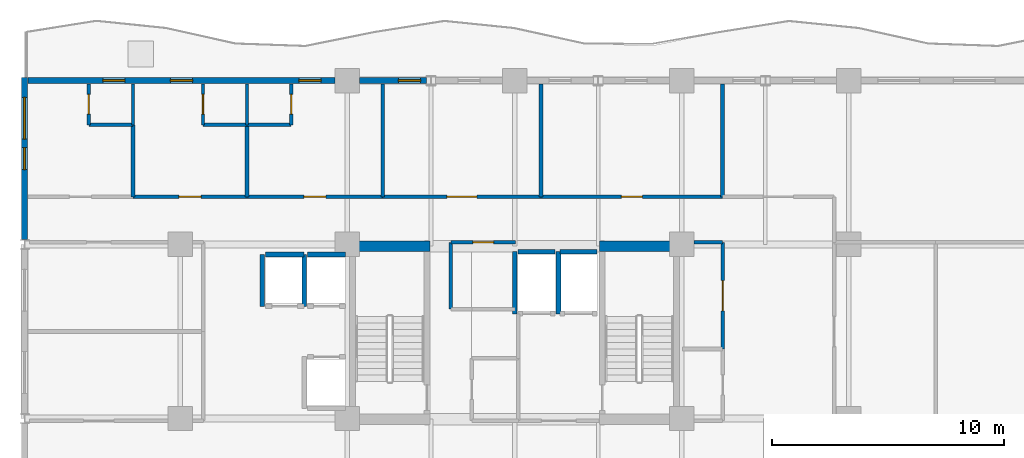
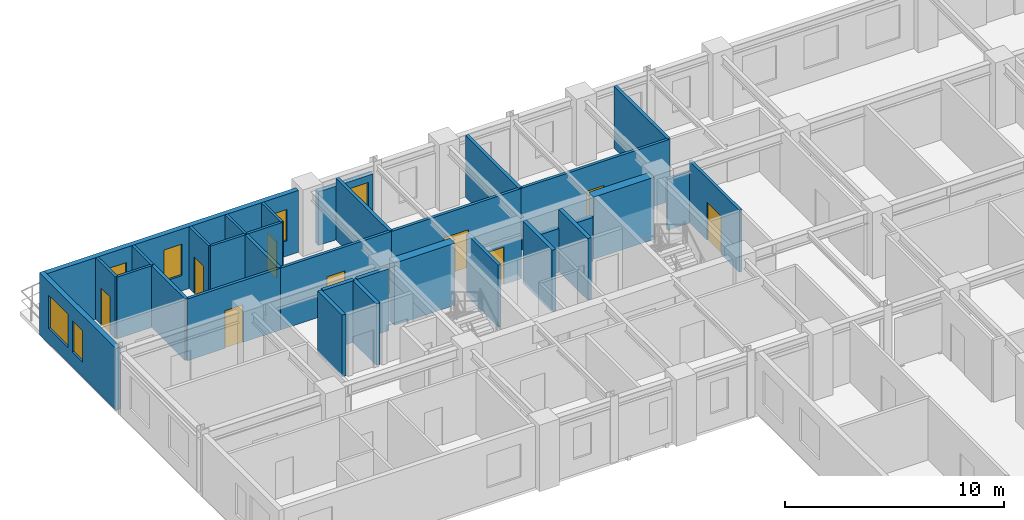
# One storey, part 8 of 13: 34 walls, 9 doors, 6 windows, 15 openings.
"""IFC4 building model written with IfcOpenShell, lengths in metres."""

from ifc_helpers import new_model, si_unit, direction, frame, frame_2d, origin, place, context, subcontext, project, spatial, rectangle, extrude, material, layer, layer_set, type_object, element, fill, save


model = new_model("IFC4")

# Units and contexts
model_context = context("Model", 3, precision=1e-05, world=origin(), true_north=direction((0.0, 1.0)))
body_context = subcontext(model_context, "Body", "Model", "MODEL_VIEW")
ifc_project = project(units=[si_unit("LENGTHUNIT", "METRE"), si_unit("AREAUNIT", "SQUARE_METRE"), si_unit("VOLUMEUNIT", "CUBIC_METRE"), si_unit("PLANEANGLEUNIT", "RADIAN"), si_unit("MASSUNIT", "GRAM", prefix="KILO")], contexts=[model_context])

# Site, building, storey
site_placement = place(None, origin())
site = spatial("IfcSite", under=ifc_project, at=site_placement, CompositionType="ELEMENT")
building_placement = place(site_placement, origin())
building = spatial("IfcBuilding", under=site, at=building_placement, Name="Kaliganga Portal Commons", CompositionType="ELEMENT")
storey_placement = place(building_placement, frame((0.0, 0.0, 158.699951171875)))
storey = spatial("IfcBuildingStorey", under=building, at=storey_placement, Name="L40", CompositionType="ELEMENT", Elevation=158.699951171875)

# Walls
ifc_material_1 = material(Name="Concrete C60/75", Category="concrete")
ifc_layer_1 = layer(ifc_material_1, 0.449951171875)
ifc_layer_set_1 = layer_set([ifc_layer_1], Name="Concrete C60/75")
wall_type_1 = type_object("IfcWallType", Name="WL-CORE-450", PredefinedType="SHEAR", material=ifc_layer_set_1)
for number, where, z_axis, x_axis, name in (
    (1, (14.75, 36.074951171875, 0.0), (0.0, 0.0, 1.0), (1.0, 0.0, 0.0), "Core A N-West Shear Wall L40"),
    (2, (25.25, 36.074951171875, 0.0), (0.0, 0.0, 1.0), (1.0, 0.0, 0.0), "Core A N-East Shear Wall L40"),
):
    element("IfcWall", number, at=place(storey_placement, frame(where, z_axis=z_axis, x_axis=x_axis)), inside=storey, type_object=wall_type_1, Name=name, PredefinedType="SHEAR", context=body_context, shape_type="SweptSolid", body=[
        extrude(rectangle(XDim=3.199951171875, YDim=0.449951171875, at=frame_2d((1.60009765625, 0.0))), origin(), (0.0, 0.0, 1.0), 3.4599609375),
    ])

# Wall, opening, window
ifc_material_2 = material(Name="Insulated Aluminium-Clad Spandrel Assembly", Category="aluminium")
ifc_layer_2 = layer(ifc_material_2, 0.260009765625)
ifc_layer_set_2 = layer_set([ifc_layer_2], Name="Insulated Aluminium-Clad Spandrel Assembly")
wall_type_2 = type_object("IfcWallType", Name="WL-EXT-SPAND-260", PredefinedType="STANDARD", material=ifc_layer_set_2)
wall_1_placement = place(storey_placement, frame((14.926025390625, 43.199951171875, 0.0), z_axis=(0.0, 0.0, 1.0), x_axis=(1.0, 0.0, 0.0)))
wall_1 = element("IfcWall", 3, at=wall_1_placement, inside=storey, type_object=wall_type_2, Name="Exterior Envelope Wall L40 P1-E02-S8", PredefinedType="STANDARD", context=body_context, shape_type="SweptSolid", body=[
    extrude(rectangle(XDim=2.87109375, YDim=0.260009765625, at=frame_2d((1.435546875, 0.0))), origin(), (0.0, 0.0, 1.0), 2.989990234375),
])
opening_1_placement = place(wall_1_placement, frame((1.672607421875, 0.0, 0.85009765625)))
opening_1 = element("IfcOpeningElement", 4, at=opening_1_placement, cuts=wall_1, Name="Opening W-04", PredefinedType="OPENING", context=body_context, shape_type="SweptSolid", body=[
    extrude(rectangle(XDim=0.949951171875, YDim=1.75, at=frame_2d((0.47509765625, 0.875))), frame((0.0, 0.14013671875, 0.0), z_axis=(0.0, -1.0, 0.0), x_axis=(1.0, 0.0, 0.0)), (0.0, 0.0, 1.0), 0.280029296875),
])
ifc_material_3 = material(Name="Thermally Broken Aluminium and Low-E Double Glazing", Category="aluminium")
window_type_1 = type_object("IfcWindowType", Name="WIN-NARROW-950", PartitioningType="SINGLE_PANEL", PredefinedType="WINDOW", material=ifc_material_3)
window_1_placement = place(opening_1_placement, origin())
window_1 = element("IfcWindow", 5, at=window_1_placement, inside=storey, type_object=window_type_1, Name="Facade Window L40-P1E02S8-N2", OverallHeight=1.75, OverallWidth=0.949951171875, PartitioningType="SINGLE_PANEL", PredefinedType="WINDOW", context=body_context, shape_type="SweptSolid", body=[
    extrude(rectangle(XDim=0.949951171875, YDim=1.75, at=frame_2d((0.47509765625, 0.875))), frame((0.0, 0.030029296875, 0.0), z_axis=(0.0, -1.0, 0.0), x_axis=(1.0, 0.0, 0.0)), (0.0, 0.0, 1.0), 0.06005859375),
])
fill(opening_1, window_1)

# Wall, openings, windows
wall_2_placement = place(storey_placement, frame((0.635009765625, 43.199951171875, 0.0), z_axis=(0.0, 0.0, 1.0), x_axis=(1.0, 0.0, 0.0)))
wall_2 = element("IfcWall", 6, at=wall_2_placement, inside=storey, type_object=wall_type_2, Name="Exterior Envelope Wall L40 P1-E02-S9", PredefinedType="STANDARD", context=body_context, shape_type="SweptSolid", body=[
    extrude(rectangle(XDim=13.239013671875, YDim=0.260009765625, at=frame_2d((6.61962890625, 0.0))), origin(), (0.0, 0.0, 1.0), 3.43994140625),
])
opening_2_placement = place(wall_2_placement, frame((6.14453125, 0.0, 0.85009765625)))
opening_2 = element("IfcOpeningElement", 7, at=opening_2_placement, cuts=wall_2, Name="Opening W-04", PredefinedType="OPENING", context=body_context, shape_type="SweptSolid", body=[
    extrude(rectangle(XDim=0.949951171875, YDim=1.75, at=frame_2d((0.47509765625, 0.875))), frame((0.0, 0.14013671875, 0.0), z_axis=(0.0, -1.0, 0.0), x_axis=(1.0, 0.0, 0.0)), (0.0, 0.0, 1.0), 0.280029296875),
])
opening_3_placement = place(wall_2_placement, frame((3.23193359375, 0.0, 0.85009765625)))
opening_3 = element("IfcOpeningElement", 8, at=opening_3_placement, cuts=wall_2, Name="Opening W-04", PredefinedType="OPENING", context=body_context, shape_type="SweptSolid", body=[
    extrude(rectangle(XDim=0.949951171875, YDim=1.75, at=frame_2d((0.47509765625, 0.875))), frame((0.0, 0.14013671875, 0.0), z_axis=(0.0, -1.0, 0.0), x_axis=(1.0, 0.0, 0.0)), (0.0, 0.0, 1.0), 0.280029296875),
])
opening_4_placement = place(wall_2_placement, frame((11.679443359375, 0.0, 0.85009765625)))
opening_4 = element("IfcOpeningElement", 9, at=opening_4_placement, cuts=wall_2, Name="Opening W-04", PredefinedType="OPENING", context=body_context, shape_type="SweptSolid", body=[
    extrude(rectangle(XDim=0.949951171875, YDim=1.75, at=frame_2d((0.47509765625, 0.875))), frame((0.0, 0.14013671875, 0.0), z_axis=(0.0, -1.0, 0.0), x_axis=(1.0, 0.0, 0.0)), (0.0, 0.0, 1.0), 0.280029296875),
])
window_2_placement = place(opening_2_placement, origin())
window_2 = element("IfcWindow", 10, at=window_2_placement, inside=storey, type_object=window_type_1, Name="Facade Window L40-P1E02S9-N0", OverallHeight=1.75, OverallWidth=0.949951171875, PartitioningType="SINGLE_PANEL", PredefinedType="WINDOW", context=body_context, shape_type="SweptSolid", body=[
    extrude(rectangle(XDim=0.949951171875, YDim=1.75, at=frame_2d((0.47509765625, 0.875))), frame((0.0, 0.030029296875, 0.0), z_axis=(0.0, -1.0, 0.0), x_axis=(1.0, 0.0, 0.0)), (0.0, 0.0, 1.0), 0.06005859375),
])
fill(opening_2, window_2)
window_3_placement = place(opening_3_placement, origin())
window_3 = element("IfcWindow", 11, at=window_3_placement, inside=storey, type_object=window_type_1, Name="Facade Window L40-P1E02S9-N3", OverallHeight=1.75, OverallWidth=0.949951171875, PartitioningType="SINGLE_PANEL", PredefinedType="WINDOW", context=body_context, shape_type="SweptSolid", body=[
    extrude(rectangle(XDim=0.949951171875, YDim=1.75, at=frame_2d((0.47509765625, 0.875))), frame((0.0, 0.030029296875, 0.0), z_axis=(0.0, -1.0, 0.0), x_axis=(1.0, 0.0, 0.0)), (0.0, 0.0, 1.0), 0.06005859375),
])
fill(opening_3, window_3)
window_4_placement = place(opening_4_placement, origin())
window_4 = element("IfcWindow", 12, at=window_4_placement, inside=storey, type_object=window_type_1, Name="Facade Window L40-P1E02S9-AN03", OverallHeight=1.75, OverallWidth=0.949951171875, PartitioningType="SINGLE_PANEL", PredefinedType="WINDOW", context=body_context, shape_type="SweptSolid", body=[
    extrude(rectangle(XDim=0.949951171875, YDim=1.75, at=frame_2d((0.47509765625, 0.875))), frame((0.0, 0.030029296875, 0.0), z_axis=(0.0, -1.0, 0.0), x_axis=(1.0, 0.0, 0.0)), (0.0, 0.0, 1.0), 0.06005859375),
])
fill(opening_4, window_4)

wall_3_placement = place(storey_placement, frame((0.5, 36.35791015625, 0.0), z_axis=(0.0, 0.0, 1.0), x_axis=(0.0, 1.0, 0.0)))
wall_3 = element("IfcWall", 13, at=wall_3_placement, inside=storey, type_object=wall_type_2, Name="Exterior Envelope Wall L40 P1-E03-S1", PredefinedType="STANDARD", context=body_context, shape_type="SweptSolid", body=[
    extrude(rectangle(XDim=6.97216796875, YDim=0.260009765625, at=frame_2d((3.486083984375, 0.0))), origin(), (0.0, 0.0, 1.0), 3.43994140625),
])
opening_5_placement = place(wall_3_placement, frame((4.3291015625, 0.0, 0.85009765625)))
opening_5 = element("IfcOpeningElement", 14, at=opening_5_placement, cuts=wall_3, Name="Opening W-01", PredefinedType="OPENING", context=body_context, shape_type="SweptSolid", body=[
    extrude(rectangle(XDim=1.800048828125, YDim=1.85009765625, at=frame_2d((0.89990234375, 0.925048828125))), frame((0.0, 0.14013671875, 0.0), z_axis=(0.0, -1.0, 0.0), x_axis=(1.0, 0.0, 0.0)), (0.0, 0.0, 1.0), 0.280029296875),
])
opening_6_placement = place(wall_3_placement, frame((3.010986328125, 0.0, 0.85009765625)))
opening_6 = element("IfcOpeningElement", 15, at=opening_6_placement, cuts=wall_3, Name="Opening W-04", PredefinedType="OPENING", context=body_context, shape_type="SweptSolid", body=[
    extrude(rectangle(XDim=0.949951171875, YDim=1.75, at=frame_2d((0.47509765625, 0.875))), frame((0.0, 0.14013671875, 0.0), z_axis=(0.0, -1.0, 0.0), x_axis=(1.0, 0.0, 0.0)), (0.0, 0.0, 1.0), 0.280029296875),
])
window_5_placement = place(opening_6_placement, origin())
window_5 = element("IfcWindow", 16, at=window_5_placement, inside=storey, type_object=window_type_1, Name="Facade Window L40-P1E03S1-N0", OverallHeight=1.75, OverallWidth=0.949951171875, PartitioningType="SINGLE_PANEL", PredefinedType="WINDOW", context=body_context, shape_type="SweptSolid", body=[
    extrude(rectangle(XDim=0.949951171875, YDim=1.75, at=frame_2d((0.47509765625, 0.875))), frame((0.0, 0.030029296875, 0.0), z_axis=(0.0, -1.0, 0.0), x_axis=(1.0, 0.0, 0.0)), (0.0, 0.0, 1.0), 0.06005859375),
])
fill(opening_6, window_5)
window_type_2 = type_object("IfcWindowType", Name="WIN-STD-1800", PartitioningType="DOUBLE_PANEL_VERTICAL", PredefinedType="WINDOW", material=ifc_material_3)
window_6_placement = place(opening_5_placement, origin())
window_6 = element("IfcWindow", 17, at=window_6_placement, inside=storey, type_object=window_type_2, Name="Facade Window L40-P1E03S1-01", OverallHeight=1.85009765625, OverallWidth=1.800048828125, PartitioningType="SINGLE_PANEL", PredefinedType="WINDOW", context=body_context, shape_type="SweptSolid", body=[
    extrude(rectangle(XDim=1.800048828125, YDim=1.85009765625, at=frame_2d((0.89990234375, 0.925048828125))), frame((0.0, 0.030029296875, 0.0), z_axis=(0.0, -1.0, 0.0), x_axis=(1.0, 0.0, 0.0)), (0.0, 0.0, 1.0), 0.06005859375),
])
fill(opening_5, window_6)

# Wall, opening, door
ifc_material_4 = material(Name="Fire-Rated Gypsum Board on Steel Stud", Category="steel")
ifc_layer_3 = layer(ifc_material_4, 0.14990234375)
ifc_layer_set_3 = layer_set([ifc_layer_3], Name="Fire-Rated Gypsum Board on Steel Stud")
wall_type_3 = type_object("IfcWallType", Name="WL-PART-CORR-150", PredefinedType="PARTITIONING", material=ifc_layer_set_3)
wall_4_placement = place(storey_placement, frame((22.739990234375, 38.199951171875, 0.0), z_axis=(0.0, 0.0, 1.0), x_axis=(1.0, 0.0, 0.0)))
wall_4 = element("IfcWall", 18, at=wall_4_placement, inside=storey, type_object=wall_type_3, Name="Interior Partition L40-017", PredefinedType="PARTITIONING", context=body_context, shape_type="SweptSolid", body=[
    extrude(rectangle(XDim=7.820068359375, YDim=0.14990234375, at=frame_2d((3.91015625, 0.0))), origin(), (0.0, 0.0, 1.0), 3.43994140625),
])
opening_7_placement = place(wall_4_placement, frame((3.4599609375, 0.0, 0.0)))
opening_7 = element("IfcOpeningElement", 19, at=opening_7_placement, cuts=wall_4, Name="Opening RD-01", PredefinedType="OPENING", context=body_context, shape_type="SweptSolid", body=[
    extrude(rectangle(XDim=0.89990234375, YDim=2.080078125, at=frame_2d((0.449951171875, 1.0400390625))), frame((0.0, 0.0849609375, 0.0), z_axis=(0.0, -1.0, 0.0), x_axis=(1.0, 0.0, 0.0)), (0.0, 0.0, 1.0), 0.169921875),
])
ifc_material_5 = material(Name="Engineered Timber Flush Door", Category="wood")
door_type_1 = type_object("IfcDoorType", Name="DR-ROOM-900", OperationType="NOTDEFINED", PredefinedType="DOOR", material=ifc_material_5)
door_1_placement = place(opening_7_placement, origin())
door_1 = element("IfcDoor", 20, at=door_1_placement, inside=storey, type_object=door_type_1, Name="Interior Door L40-AN05", OperationType="SINGLE_SWING_RIGHT", OverallHeight=2.080078125, OverallWidth=0.89990234375, PredefinedType="DOOR", context=body_context, shape_type="SweptSolid", body=[
    extrude(rectangle(XDim=0.89990234375, YDim=2.080078125, at=frame_2d((0.449951171875, 1.0400390625))), frame((0.0, 0.02490234375, 0.0), z_axis=(0.0, -1.0, 0.0), x_axis=(1.0, 0.0, 0.0)), (0.0, 0.0, 1.0), 0.050048828125),
])
fill(opening_7, door_1)

wall_5_placement = place(storey_placement, frame((15.919921875, 38.199951171875, 0.0), z_axis=(0.0, 0.0, 1.0), x_axis=(1.0, 0.0, 0.0)))
wall_5 = element("IfcWall", 21, at=wall_5_placement, inside=storey, type_object=wall_type_3, Name="Interior Partition L40-027", PredefinedType="PARTITIONING", context=body_context, shape_type="SweptSolid", body=[
    extrude(rectangle(XDim=6.820068359375, YDim=0.14990234375, at=frame_2d((3.41015625, 0.0))), origin(), (0.0, 0.0, 1.0), 3.43994140625),
])
opening_8_placement = place(wall_5_placement, frame((2.760009765625, 0.0, 0.0)))
opening_8 = element("IfcOpeningElement", 22, at=opening_8_placement, cuts=wall_5, Name="Opening RD-03", PredefinedType="OPENING", context=body_context, shape_type="SweptSolid", body=[
    extrude(rectangle(XDim=1.300048828125, YDim=2.1201171875, at=frame_2d((0.64990234375, 1.06005859375))), frame((0.0, 0.0849609375, 0.0), z_axis=(0.0, -1.0, 0.0), x_axis=(1.0, 0.0, 0.0)), (0.0, 0.0, 1.0), 0.169921875),
])
ifc_material_6 = material(Name="Glazed Timber Seminar Vision Door", Category="wood")
door_type_2 = type_object("IfcDoorType", Name="DR-STUDY-1300", OperationType="DOUBLE_DOOR_SINGLE_SWING", PredefinedType="DOOR", material=ifc_material_6)
door_2_placement = place(opening_8_placement, origin())
door_2 = element("IfcDoor", 23, at=door_2_placement, inside=storey, type_object=door_type_2, Name="Interior Door L40-AN04", OperationType="DOUBLE_DOOR_SINGLE_SWING", OverallHeight=2.1201171875, OverallWidth=1.300048828125, PredefinedType="DOOR", context=body_context, shape_type="SweptSolid", body=[
    extrude(rectangle(XDim=1.300048828125, YDim=2.1201171875, at=frame_2d((0.64990234375, 1.06005859375))), frame((0.0, 0.02490234375, 0.0), z_axis=(0.0, -1.0, 0.0), x_axis=(1.0, 0.0, 0.0)), (0.0, 0.0, 1.0), 0.050048828125),
])
fill(opening_8, door_2)

wall_6_placement = place(storey_placement, frame((10.080078125, 38.199951171875, 0.0), z_axis=(0.0, 0.0, 1.0), x_axis=(1.0, 0.0, 0.0)))
wall_6 = element("IfcWall", 24, at=wall_6_placement, inside=storey, type_object=wall_type_3, Name="Interior Partition L40-029", PredefinedType="PARTITIONING", context=body_context, shape_type="SweptSolid", body=[
    extrude(rectangle(XDim=5.83984375, YDim=0.14990234375, at=frame_2d((2.919921875, 0.0))), origin(), (0.0, 0.0, 1.0), 3.43994140625),
])
opening_9_placement = place(wall_6_placement, frame((2.445068359375, 0.0, 0.0)))
opening_9 = element("IfcOpeningElement", 25, at=opening_9_placement, cuts=wall_6, Name="Opening UD-01", PredefinedType="OPENING", context=body_context, shape_type="SweptSolid", body=[
    extrude(rectangle(XDim=0.949951171875, YDim=2.10009765625, at=frame_2d((0.47509765625, 1.050048828125))), frame((0.0, 0.0849609375, 0.0), z_axis=(0.0, -1.0, 0.0), x_axis=(1.0, 0.0, 0.0)), (0.0, 0.0, 1.0), 0.169921875),
])
ifc_material_7 = material(Name="Solid-Core Timber Acoustic Fire Door", Category="wood")
door_type_3 = type_object("IfcDoorType", Name="DR-UNIT-950", OperationType="NOTDEFINED", PredefinedType="DOOR", material=ifc_material_7)
door_3_placement = place(opening_9_placement, origin())
door_3 = element("IfcDoor", 26, at=door_3_placement, inside=storey, type_object=door_type_3, Name="Interior Door L40-AN03", OperationType="SINGLE_SWING_LEFT", OverallHeight=2.10009765625, OverallWidth=0.949951171875, PredefinedType="DOOR", context=body_context, shape_type="SweptSolid", body=[
    extrude(rectangle(XDim=0.949951171875, YDim=2.10009765625, at=frame_2d((0.47509765625, 1.050048828125))), frame((0.0, 0.02490234375, 0.0), z_axis=(0.0, -1.0, 0.0), x_axis=(1.0, 0.0, 0.0)), (0.0, 0.0, 1.0), 0.050048828125),
])
fill(opening_9, door_3)

wall_7_placement = place(storey_placement, frame((5.159912109375, 38.199951171875, 0.0), z_axis=(0.0, 0.0, 1.0), x_axis=(1.0, 0.0, 0.0)))
wall_7 = element("IfcWall", 27, at=wall_7_placement, inside=storey, type_object=wall_type_3, Name="Interior Partition L40-038", PredefinedType="PARTITIONING", context=body_context, shape_type="SweptSolid", body=[
    extrude(rectangle(XDim=4.920166015625, YDim=0.14990234375, at=frame_2d((2.4599609375, 0.0))), origin(), (0.0, 0.0, 1.0), 3.43994140625),
])
opening_10_placement = place(wall_7_placement, frame((1.985107421875, 0.0, 0.0)))
opening_10 = element("IfcOpeningElement", 28, at=opening_10_placement, cuts=wall_7, Name="Opening UD-01", PredefinedType="OPENING", context=body_context, shape_type="SweptSolid", body=[
    extrude(rectangle(XDim=0.949951171875, YDim=2.10009765625, at=frame_2d((0.47509765625, 1.050048828125))), frame((0.0, 0.0849609375, 0.0), z_axis=(0.0, -1.0, 0.0), x_axis=(1.0, 0.0, 0.0)), (0.0, 0.0, 1.0), 0.169921875),
])
door_4_placement = place(opening_10_placement, origin())
door_4 = element("IfcDoor", 29, at=door_4_placement, inside=storey, type_object=door_type_3, Name="Interior Door L40-AN02", OperationType="SINGLE_SWING_LEFT", OverallHeight=2.10009765625, OverallWidth=0.949951171875, PredefinedType="DOOR", context=body_context, shape_type="SweptSolid", body=[
    extrude(rectangle(XDim=0.949951171875, YDim=2.10009765625, at=frame_2d((0.47509765625, 1.050048828125))), frame((0.0, 0.02490234375, 0.0), z_axis=(0.0, -1.0, 0.0), x_axis=(1.0, 0.0, 0.0)), (0.0, 0.0, 1.0), 0.050048828125),
])
fill(opening_10, door_4)

wall_8_placement = place(storey_placement, frame((30.56005859375, 31.639892578125, 0.0), z_axis=(0.0, 0.0, 1.0), x_axis=(0.0, 1.0, 0.0)))
wall_8 = element("IfcWall", 30, at=wall_8_placement, inside=storey, type_object=wall_type_3, Name="Interior Partition L40-043", PredefinedType="PARTITIONING", context=body_context, shape_type="SweptSolid", body=[
    extrude(rectangle(XDim=4.60009765625, YDim=0.14990234375, at=frame_2d((2.300048828125, 0.0))), origin(), (0.0, 0.0, 1.0), 3.43994140625),
])
opening_11_placement = place(wall_8_placement, frame((1.64990234375, 0.0, 0.0)))
opening_11 = element("IfcOpeningElement", 31, at=opening_11_placement, cuts=wall_8, Name="Opening RD-03", PredefinedType="OPENING", context=body_context, shape_type="SweptSolid", body=[
    extrude(rectangle(XDim=1.300048828125, YDim=2.1201171875, at=frame_2d((0.64990234375, 1.06005859375))), frame((0.0, 0.0849609375, 0.0), z_axis=(0.0, -1.0, 0.0), x_axis=(1.0, 0.0, 0.0)), (0.0, 0.0, 1.0), 0.169921875),
])
door_5_placement = place(opening_11_placement, origin())
door_5 = element("IfcDoor", 32, at=door_5_placement, inside=storey, type_object=door_type_2, Name="Interior Door L40-CSRV_A2", OperationType="DOUBLE_DOOR_SINGLE_SWING", OverallHeight=2.1201171875, OverallWidth=1.300048828125, PredefinedType="DOOR", context=body_context, shape_type="SweptSolid", body=[
    extrude(rectangle(XDim=1.300048828125, YDim=2.1201171875, at=frame_2d((0.64990234375, 1.06005859375))), frame((0.0, 0.02490234375, 0.0), z_axis=(0.0, -1.0, 0.0), x_axis=(1.0, 0.0, 0.0)), (0.0, 0.0, 1.0), 0.050048828125),
])
fill(opening_11, door_5)

# Wall
wall_9_placement = place(storey_placement, frame((18.860107421875, 33.360107421875, 0.0), z_axis=(0.0, 0.0, 1.0), x_axis=(0.0, 1.0, 0.0)))
element("IfcWall", 33, at=wall_9_placement, inside=storey, type_object=wall_type_3, Name="Interior Partition L40-052", PredefinedType="PARTITIONING", context=body_context, shape_type="SweptSolid", body=[
    extrude(rectangle(XDim=2.8798828125, YDim=0.14990234375, at=frame_2d((1.43994140625, 0.0))), origin(), (0.0, 0.0, 1.0), 3.43994140625),
])

# Wall, opening, door
wall_10_placement = place(storey_placement, frame((18.860107421875, 36.239990234375, 0.0), z_axis=(0.0, 0.0, 1.0), x_axis=(1.0, 0.0, 0.0)))
wall_10 = element("IfcWall", 34, at=wall_10_placement, inside=storey, type_object=wall_type_3, Name="Interior Partition L40-053", PredefinedType="PARTITIONING", context=body_context, shape_type="SweptSolid", body=[
    extrude(rectangle(XDim=2.77978515625, YDim=0.14990234375, at=frame_2d((1.389892578125, 0.0))), origin(), (0.0, 0.0, 1.0), 2.43994140625),
])
opening_12_placement = place(wall_10_placement, frame((0.93994140625, 0.0, 0.0)))
opening_12 = element("IfcOpeningElement", 35, at=opening_12_placement, cuts=wall_10, Name="Opening RD-01", PredefinedType="OPENING", context=body_context, shape_type="SweptSolid", body=[
    extrude(rectangle(XDim=0.89990234375, YDim=2.080078125, at=frame_2d((0.449951171875, 1.0400390625))), frame((0.0, 0.0849609375, 0.0), z_axis=(0.0, -1.0, 0.0), x_axis=(1.0, 0.0, 0.0)), (0.0, 0.0, 1.0), 0.169921875),
])
door_6_placement = place(opening_12_placement, origin())
door_6 = element("IfcDoor", 36, at=door_6_placement, inside=storey, type_object=door_type_1, Name="Interior Door L40-CREC_A1", OperationType="SINGLE_SWING_RIGHT", OverallHeight=2.080078125, OverallWidth=0.89990234375, PredefinedType="DOOR", context=body_context, shape_type="SweptSolid", body=[
    extrude(rectangle(XDim=0.89990234375, YDim=2.080078125, at=frame_2d((0.449951171875, 1.0400390625))), frame((0.0, 0.02490234375, 0.0), z_axis=(0.0, -1.0, 0.0), x_axis=(1.0, 0.0, 0.0)), (0.0, 0.0, 1.0), 0.050048828125),
])
fill(opening_12, door_6)

# Walls
wall_11_placement = place(storey_placement, frame((29.324951171875, 36.239990234375, 0.0), z_axis=(0.0, 0.0, 1.0), x_axis=(1.0, 0.0, 0.0)))
element("IfcWall", 37, at=wall_11_placement, inside=storey, type_object=wall_type_3, Name="Interior Partition L40-066", PredefinedType="PARTITIONING", context=body_context, shape_type="SweptSolid", body=[
    extrude(rectangle(XDim=1.235107421875, YDim=0.14990234375, at=frame_2d((0.61767578125, 0.0))), origin(), (0.0, 0.0, 1.0), 2.840087890625),
])
ifc_material_8 = material(Name="Twin-Stud Acoustic Gypsum Partition", Category="gypsum")
ifc_layer_4 = layer(ifc_material_8, 0.1650390625)
ifc_layer_set_4 = layer_set([ifc_layer_4], Name="Twin-Stud Acoustic Gypsum Partition")
wall_type_4 = type_object("IfcWallType", Name="WL-PART-UNIT-165", PredefinedType="PARTITIONING", material=ifc_layer_set_4)
for number, where, z_axis, x_axis, name in (
    (38, (15.919921875, 38.199951171875, 0.0), (0.0, 0.0, 1.0), (0.0, 1.0, 0.0), "Interior Partition L40-078"),
    (39, (22.739990234375, 38.199951171875, 0.0), (0.0, 0.0, 1.0), (0.0, 1.0, 0.0), "Interior Partition L40-080"),
    (40, (30.56005859375, 38.199951171875, 0.0), (0.0, 0.0, 1.0), (0.0, 1.0, 0.0), "Interior Partition L40-081"),
):
    element("IfcWall", number, at=place(storey_placement, frame(where, z_axis=z_axis, x_axis=x_axis)), inside=storey, type_object=wall_type_4, Name=name, PredefinedType="PARTITIONING", context=body_context, shape_type="SweptSolid", body=[
        extrude(rectangle(XDim=4.8681640625, YDim=0.1650390625, at=frame_2d((2.43408203125, 0.0))), origin(), (0.0, 0.0, 1.0), 3.43994140625),
    ])
for number, where, z_axis, x_axis, name in (
    (41, (5.159912109375, 38.199951171875, 0.0), (0.0, 0.0, 1.0), (0.0, 1.0, 0.0), "Interior Partition L40-090"),
    (42, (10.080078125, 38.199951171875, 0.0), (0.0, 0.0, 1.0), (0.0, 1.0, 0.0), "Interior Partition L40-091"),
):
    element("IfcWall", number, at=place(storey_placement, frame(where, z_axis=z_axis, x_axis=x_axis)), inside=storey, type_object=wall_type_4, Name=name, PredefinedType="PARTITIONING", context=body_context, shape_type="SweptSolid", body=[
        extrude(rectangle(XDim=3.10009765625, YDim=0.1650390625, at=frame_2d((1.550048828125, 0.0))), origin(), (0.0, 0.0, 1.0), 3.43994140625),
    ])

# Wall, opening, door
ifc_material_9 = material(Name="Cement-Board Wet-Room Partition", Category="gypsum")
ifc_layer_5 = layer(ifc_material_9, 0.135009765625)
ifc_layer_set_5 = layer_set([ifc_layer_5], Name="Cement-Board Wet-Room Partition")
wall_type_5 = type_object("IfcWallType", Name="WL-PART-WET-135", PredefinedType="PARTITIONING", material=ifc_layer_set_5)
wall_12_placement = place(storey_placement, frame((3.260009765625, 41.300048828125, 0.0), z_axis=(0.0, 0.0, 1.0), x_axis=(0.0, 1.0, 0.0)))
wall_12 = element("IfcWall", 43, at=wall_12_placement, inside=storey, type_object=wall_type_5, Name="Interior Partition L40-001", PredefinedType="PARTITIONING", context=body_context, shape_type="SweptSolid", body=[
    extrude(rectangle(XDim=1.76806640625, YDim=0.135009765625, at=frame_2d((0.884033203125, 0.0))), origin(), (0.0, 0.0, 1.0), 3.43994140625),
])
opening_13_placement = place(wall_12_placement, frame((0.458984375, 0.0, 0.0)))
opening_13 = element("IfcOpeningElement", 44, at=opening_13_placement, cuts=wall_12, Name="Opening WD-01", PredefinedType="OPENING", context=body_context, shape_type="SweptSolid", body=[
    extrude(rectangle(XDim=0.85009765625, YDim=2.0400390625, at=frame_2d((0.425048828125, 1.02001953125))), frame((0.0, 0.07763671875, 0.0), z_axis=(0.0, -1.0, 0.0), x_axis=(1.0, 0.0, 0.0)), (0.0, 0.0, 1.0), 0.155029296875),
])
ifc_material_10 = material(Name="Moisture-Resistant Laminate Timber Door", Category="wood")
door_type_4 = type_object("IfcDoorType", Name="DR-WET-850", OperationType="NOTDEFINED", PredefinedType="DOOR", material=ifc_material_10)
door_7_placement = place(opening_13_placement, origin())
door_7 = element("IfcDoor", 45, at=door_7_placement, inside=storey, type_object=door_type_4, Name="Interior Door L40-AN01E", OperationType="SINGLE_SWING_LEFT", OverallHeight=2.0400390625, OverallWidth=0.85009765625, PredefinedType="DOOR", context=body_context, shape_type="SweptSolid", body=[
    extrude(rectangle(XDim=0.85009765625, YDim=2.0400390625, at=frame_2d((0.425048828125, 1.02001953125))), frame((0.0, 0.02490234375, 0.0), z_axis=(0.0, -1.0, 0.0), x_axis=(1.0, 0.0, 0.0)), (0.0, 0.0, 1.0), 0.050048828125),
])
fill(opening_13, door_7)

# Wall
wall_13_placement = place(storey_placement, frame((5.159912109375, 41.300048828125, 0.0), z_axis=(0.0, 0.0, 1.0), x_axis=(0.0, 1.0, 0.0)))
element("IfcWall", 46, at=wall_13_placement, inside=storey, type_object=wall_type_5, Name="Interior Partition L40-002", PredefinedType="PARTITIONING", context=body_context, shape_type="SweptSolid", body=[
    extrude(rectangle(XDim=1.76806640625, YDim=0.135009765625, at=frame_2d((0.884033203125, 0.0))), origin(), (0.0, 0.0, 1.0), 3.43994140625),
])

# Wall, opening, door
wall_14_placement = place(storey_placement, frame((8.179931640625, 41.300048828125, 0.0), z_axis=(0.0, 0.0, 1.0), x_axis=(0.0, 1.0, 0.0)))
wall_14 = element("IfcWall", 47, at=wall_14_placement, inside=storey, type_object=wall_type_5, Name="Interior Partition L40-003", PredefinedType="PARTITIONING", context=body_context, shape_type="SweptSolid", body=[
    extrude(rectangle(XDim=1.76806640625, YDim=0.135009765625, at=frame_2d((0.884033203125, 0.0))), origin(), (0.0, 0.0, 1.0), 3.43994140625),
])
opening_14_placement = place(wall_14_placement, frame((0.458984375, 0.0, 0.0)))
opening_14 = element("IfcOpeningElement", 48, at=opening_14_placement, cuts=wall_14, Name="Opening WD-01", PredefinedType="OPENING", context=body_context, shape_type="SweptSolid", body=[
    extrude(rectangle(XDim=0.85009765625, YDim=2.0400390625, at=frame_2d((0.425048828125, 1.02001953125))), frame((0.0, 0.07763671875, 0.0), z_axis=(0.0, -1.0, 0.0), x_axis=(1.0, 0.0, 0.0)), (0.0, 0.0, 1.0), 0.155029296875),
])
door_8_placement = place(opening_14_placement, origin())
door_8 = element("IfcDoor", 49, at=door_8_placement, inside=storey, type_object=door_type_4, Name="Interior Door L40-AN02E", OperationType="SINGLE_SWING_RIGHT", OverallHeight=2.0400390625, OverallWidth=0.85009765625, PredefinedType="DOOR", context=body_context, shape_type="SweptSolid", body=[
    extrude(rectangle(XDim=0.85009765625, YDim=2.0400390625, at=frame_2d((0.425048828125, 1.02001953125))), frame((0.0, 0.02490234375, 0.0), z_axis=(0.0, -1.0, 0.0), x_axis=(1.0, 0.0, 0.0)), (0.0, 0.0, 1.0), 0.050048828125),
])
fill(opening_14, door_8)

# Wall
wall_15_placement = place(storey_placement, frame((10.080078125, 41.300048828125, 0.0), z_axis=(0.0, 0.0, 1.0), x_axis=(0.0, 1.0, 0.0)))
element("IfcWall", 50, at=wall_15_placement, inside=storey, type_object=wall_type_5, Name="Interior Partition L40-004", PredefinedType="PARTITIONING", context=body_context, shape_type="SweptSolid", body=[
    extrude(rectangle(XDim=1.76806640625, YDim=0.135009765625, at=frame_2d((0.884033203125, 0.0))), origin(), (0.0, 0.0, 1.0), 3.43994140625),
])

# Wall, opening, door
wall_16_placement = place(storey_placement, frame((11.97998046875, 41.300048828125, 0.0), z_axis=(0.0, 0.0, 1.0), x_axis=(0.0, 1.0, 0.0)))
wall_16 = element("IfcWall", 51, at=wall_16_placement, inside=storey, type_object=wall_type_5, Name="Interior Partition L40-005", PredefinedType="PARTITIONING", context=body_context, shape_type="SweptSolid", body=[
    extrude(rectangle(XDim=1.76806640625, YDim=0.135009765625, at=frame_2d((0.884033203125, 0.0))), origin(), (0.0, 0.0, 1.0), 3.43994140625),
])
opening_15_placement = place(wall_16_placement, frame((0.458984375, 0.0, 0.0)))
opening_15 = element("IfcOpeningElement", 52, at=opening_15_placement, cuts=wall_16, Name="Opening WD-01", PredefinedType="OPENING", context=body_context, shape_type="SweptSolid", body=[
    extrude(rectangle(XDim=0.85009765625, YDim=2.0400390625, at=frame_2d((0.425048828125, 1.02001953125))), frame((0.0, 0.07763671875, 0.0), z_axis=(0.0, -1.0, 0.0), x_axis=(1.0, 0.0, 0.0)), (0.0, 0.0, 1.0), 0.155029296875),
])
door_9_placement = place(opening_15_placement, origin())
door_9 = element("IfcDoor", 53, at=door_9_placement, inside=storey, type_object=door_type_4, Name="Interior Door L40-AN03E", OperationType="SINGLE_SWING_LEFT", OverallHeight=2.0400390625, OverallWidth=0.85009765625, PredefinedType="DOOR", context=body_context, shape_type="SweptSolid", body=[
    extrude(rectangle(XDim=0.85009765625, YDim=2.0400390625, at=frame_2d((0.425048828125, 1.02001953125))), frame((0.0, 0.02490234375, 0.0), z_axis=(0.0, -1.0, 0.0), x_axis=(1.0, 0.0, 0.0)), (0.0, 0.0, 1.0), 0.050048828125),
])
fill(opening_15, door_9)

# Walls
wall_17_placement = place(storey_placement, frame((3.260009765625, 41.300048828125, 0.0), z_axis=(0.0, 0.0, 1.0), x_axis=(1.0, 0.0, 0.0)))
element("IfcWall", 54, at=wall_17_placement, inside=storey, type_object=wall_type_5, Name="Interior Partition L40-007", PredefinedType="PARTITIONING", context=body_context, shape_type="SweptSolid", body=[
    extrude(rectangle(XDim=1.89990234375, YDim=0.135009765625, at=frame_2d((0.949951171875, 0.0))), origin(), (0.0, 0.0, 1.0), 3.43994140625),
])
wall_18_placement = place(storey_placement, frame((8.179931640625, 41.300048828125, 0.0), z_axis=(0.0, 0.0, 1.0), x_axis=(1.0, 0.0, 0.0)))
element("IfcWall", 55, at=wall_18_placement, inside=storey, type_object=wall_type_5, Name="Interior Partition L40-008", PredefinedType="PARTITIONING", context=body_context, shape_type="SweptSolid", body=[
    extrude(rectangle(XDim=1.900146484375, YDim=0.135009765625, at=frame_2d((0.9501953125, 0.0))), origin(), (0.0, 0.0, 1.0), 3.43994140625),
])
wall_19_placement = place(storey_placement, frame((10.080078125, 41.300048828125, 0.0), z_axis=(0.0, 0.0, 1.0), x_axis=(1.0, 0.0, 0.0)))
element("IfcWall", 56, at=wall_19_placement, inside=storey, type_object=wall_type_5, Name="Interior Partition L40-009", PredefinedType="PARTITIONING", context=body_context, shape_type="SweptSolid", body=[
    extrude(rectangle(XDim=1.89990234375, YDim=0.135009765625, at=frame_2d((0.949951171875, 0.0))), origin(), (0.0, 0.0, 1.0), 3.43994140625),
])
ifc_material_11 = material(Name="Fire-Rated Shaftwall Masonry Assembly", Category="masonry")
ifc_layer_6 = layer(ifc_material_11, 0.199951171875)
ifc_layer_set_6 = layer_set([ifc_layer_6], Name="Fire-Rated Shaftwall Masonry Assembly")
wall_type_6 = type_object("IfcWallType", Name="WL-SHAFT-200", PredefinedType="PARTITIONING", material=ifc_layer_set_6)
wall_20_placement = place(storey_placement, frame((12.675048828125, 35.715087890625, 0.0), z_axis=(0.0, 0.0, 1.0), x_axis=(1.0, 0.0, 0.0)))
element("IfcWall", 57, at=wall_20_placement, inside=storey, type_object=wall_type_6, Name="Lift PL-A3 Hoistway Shaft Wall L40-N", PredefinedType="PARTITIONING", context=body_context, shape_type="SweptSolid", body=[
    extrude(rectangle(XDim=1.64990234375, YDim=0.199951171875, at=frame_2d((0.824951171875, 0.0))), origin(), (0.0, 0.0, 1.0), 3.43994140625),
])
wall_21_placement = place(storey_placement, frame((12.534912109375, 33.485107421875, 0.0), z_axis=(0.0, 0.0, 1.0), x_axis=(0.0, 1.0, 0.0)))
element("IfcWall", 58, at=wall_21_placement, inside=storey, type_object=wall_type_6, Name="Lift PL-A3 Hoistway Shaft Wall L40-W", PredefinedType="PARTITIONING", context=body_context, shape_type="SweptSolid", body=[
    extrude(rectangle(XDim=2.22998046875, YDim=0.199951171875, at=frame_2d((1.114990234375, 0.0))), origin(), (0.0, 0.0, 1.0), 3.43994140625),
])
wall_22_placement = place(storey_placement, frame((10.875, 35.715087890625, 0.0), z_axis=(0.0, 0.0, 1.0), x_axis=(1.0, 0.0, 0.0)))
element("IfcWall", 59, at=wall_22_placement, inside=storey, type_object=wall_type_6, Name="Lift PL-OBS Hoistway Shaft Wall L40-N", PredefinedType="PARTITIONING", context=body_context, shape_type="SweptSolid", body=[
    extrude(rectangle(XDim=1.64990234375, YDim=0.199951171875, at=frame_2d((0.824951171875, 0.0))), origin(), (0.0, 0.0, 1.0), 3.43994140625),
])
wall_23_placement = place(storey_placement, frame((10.735107421875, 33.485107421875, 0.0), z_axis=(0.0, 0.0, 1.0), x_axis=(0.0, 1.0, 0.0)))
element("IfcWall", 60, at=wall_23_placement, inside=storey, type_object=wall_type_6, Name="Lift PL-OBS Hoistway Shaft Wall L40-W", PredefinedType="PARTITIONING", context=body_context, shape_type="SweptSolid", body=[
    extrude(rectangle(XDim=2.22998046875, YDim=0.199951171875, at=frame_2d((1.114990234375, 0.0))), origin(), (0.0, 0.0, 1.0), 3.43994140625),
])
wall_24_placement = place(storey_placement, frame((21.75, 35.840087890625, 0.0), z_axis=(0.0, 0.0, 1.0), x_axis=(1.0, 0.0, 0.0)))
element("IfcWall", 61, at=wall_24_placement, inside=storey, type_object=wall_type_6, Name="Lift FFL-1 Hoistway Shaft Wall L40-N", PredefinedType="PARTITIONING", context=body_context, shape_type="SweptSolid", body=[
    extrude(rectangle(XDim=1.60009765625, YDim=0.199951171875, at=frame_2d((0.800048828125, 0.0))), origin(), (0.0, 0.0, 1.0), 2.43994140625),
])
for number, where, z_axis, x_axis, name in (
    (62, (21.610107421875, 33.159912109375, 0.0), (0.0, 0.0, 1.0), (0.0, 1.0, 0.0), "Lift FFL-1 Hoistway Shaft Wall L40-W"),
    (63, (23.489990234375, 33.159912109375, 0.0), (0.0, 0.0, 1.0), (0.0, 1.0, 0.0), "Lift FFL-1 Hoistway Shaft Wall L40-E"),
):
    element("IfcWall", number, at=place(storey_placement, frame(where, z_axis=z_axis, x_axis=x_axis)), inside=storey, type_object=wall_type_6, Name=name, PredefinedType="PARTITIONING", context=body_context, shape_type="SweptSolid", body=[
        extrude(rectangle(XDim=2.68017578125, YDim=0.199951171875, at=frame_2d((1.340087890625, 0.0))), origin(), (0.0, 0.0, 1.0), 3.43994140625),
    ])
wall_25_placement = place(storey_placement, frame((23.550048828125, 35.840087890625, 0.0), z_axis=(0.0, 0.0, 1.0), x_axis=(1.0, 0.0, 0.0)))
element("IfcWall", 64, at=wall_25_placement, inside=storey, type_object=wall_type_6, Name="Lift FFL-2 Hoistway Shaft Wall L40-N", PredefinedType="PARTITIONING", context=body_context, shape_type="SweptSolid", body=[
    extrude(rectangle(XDim=1.599853515625, YDim=0.199951171875, at=frame_2d((0.7998046875, 0.0))), origin(), (0.0, 0.0, 1.0), 2.43994140625),
])

save(model, "model.ifc")
